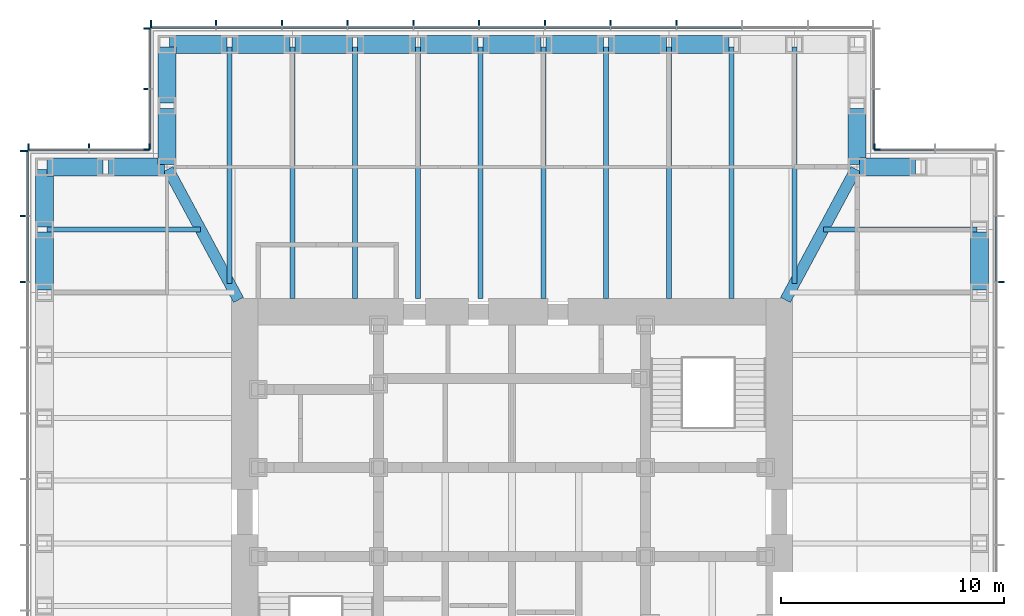
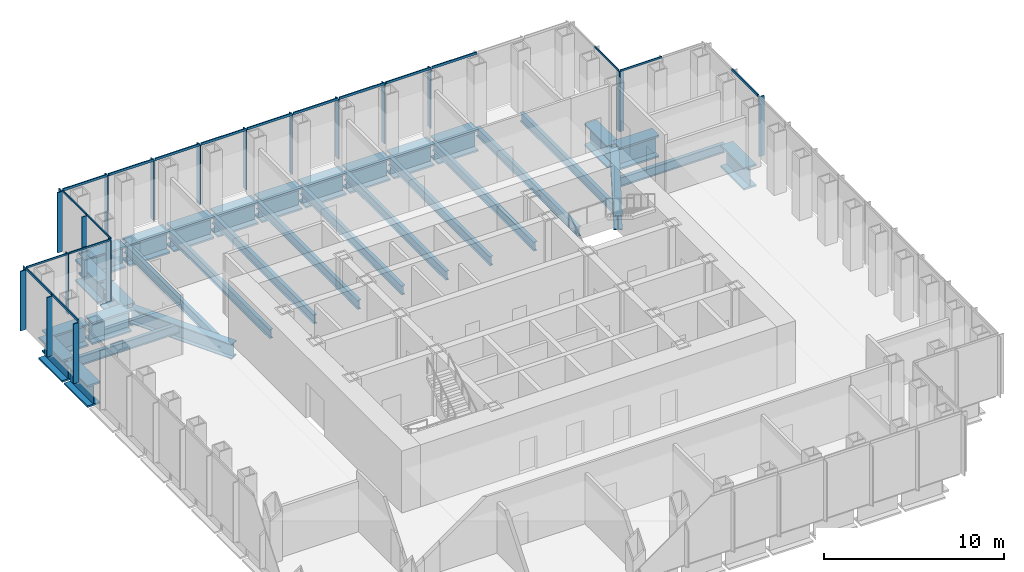
# One storey, part 5 of 16: 39 members, 32 beams, 7 elements without a shape of their own.
"""IFC4 building model written with IfcOpenShell, lengths in metres."""

from ifc_helpers import new_model, si_unit, direction, frame, origin, origin_2d, place, context, subcontext, project, spatial, rectangle, i_section, extrude, material, material_profile, profile_set, type_object, element, aggregate, save


model = new_model("IFC4")

# Units and contexts
model_context = context("Model", 3, precision=1e-05, world=origin(), true_north=direction((0.0, 1.0)))
body_context = subcontext(model_context, "Body", "Model", "MODEL_VIEW")
ifc_project = project(units=[si_unit("LENGTHUNIT", "METRE"), si_unit("AREAUNIT", "SQUARE_METRE"), si_unit("VOLUMEUNIT", "CUBIC_METRE"), si_unit("PLANEANGLEUNIT", "RADIAN"), si_unit("MASSUNIT", "GRAM", prefix="KILO")], contexts=[model_context])

# Site, building, storey
site_placement = place(None, origin())
site = spatial("IfcSite", under=ifc_project, at=site_placement, CompositionType="ELEMENT")
building_placement = place(site_placement, origin())
building = spatial("IfcBuilding", under=site, at=building_placement, Name="Daluyong Arena Tower", CompositionType="ELEMENT")
storey_placement = place(building_placement, frame((0.0, 0.0, 227.5)))
storey = spatial("IfcBuildingStorey", under=building, at=storey_placement, Name="L51", CompositionType="ELEMENT", Elevation=227.5)

# Curtain wall, member
ifc_material_1 = material(Name="Bronze anodised aluminium and glass", Category="aluminium")
curtain_wall_type_1 = type_object("IfcCurtainWallType", Name="Curtain wall CW3", PredefinedType="USERDEFINED", material=ifc_material_1)
curtain_wall_1_placement = place(storey_placement, origin())
curtain_wall_1 = element("IfcCurtainWall", 1, at=curtain_wall_1_placement, inside=storey, type_object=curtain_wall_type_1, Name="curtain wall L51 E", ObjectType="UNITISED CURTAIN WALL", PredefinedType="USERDEFINED")
ifc_material_2 = material(Name="Bronze anodised aluminium fin", Category="aluminium")
ifc_material_profile_1 = material_profile(ifc_material_2, rectangle(XDim=0.35009765625, YDim=0.070068359375, at=origin_2d()))
ifc_profile_set_1 = profile_set([ifc_material_profile_1], Name="Bronze anodised aluminium fin")
member_type_1 = type_object("IfcMemberType", Name="CW3 bronze fin 350x70", PredefinedType="MULLION", material=ifc_profile_set_1)
member_1_placement = place(storey_placement, frame((77.925048828125, 90.3408203125, 0.0), z_axis=(0.0, 0.0, 1.0), x_axis=(-1.0, 0.0, 0.0)))
member_1 = element("IfcMember", 2, at=member_1_placement, type_object=member_type_1, Name="curtain wall L51 E fin 10", PredefinedType="MULLION", context=body_context, shape_type="SweptSolid", body=[
    extrude(rectangle(XDim=0.35009765625, YDim=0.070068359375, at=origin_2d()), origin(), (0.0, 0.0, 1.0), 4.0400390625),
])

# Curtain wall, members
curtain_wall_2_placement = place(storey_placement, origin())
curtain_wall_2 = element("IfcCurtainWall", 3, at=curtain_wall_2_placement, inside=storey, type_object=curtain_wall_type_1, Name="curtain wall L51 N", ObjectType="UNITISED CURTAIN WALL", PredefinedType="USERDEFINED")
member_2_placement = place(storey_placement, frame((63.386474609375, 101.925048828125, 0.0), z_axis=(0.0, 0.0, 1.0), x_axis=(0.0, -1.0, 0.0)))
member_2 = element("IfcMember", 4, at=member_2_placement, type_object=member_type_1, Name="curtain wall L51 N fin 4", PredefinedType="MULLION", context=body_context, shape_type="SweptSolid", body=[
    extrude(rectangle(XDim=0.35009765625, YDim=0.070068359375, at=origin_2d()), origin(), (0.0, 0.0, 1.0), 4.0400390625),
])
member_3_placement = place(storey_placement, frame((60.431884765625, 101.925048828125, 0.0), z_axis=(0.0, 0.0, 1.0), x_axis=(0.0, -1.0, 0.0)))
member_3 = element("IfcMember", 5, at=member_3_placement, type_object=member_type_1, Name="curtain wall L51 N fin 5", PredefinedType="MULLION", context=body_context, shape_type="SweptSolid", body=[
    extrude(rectangle(XDim=0.35009765625, YDim=0.070068359375, at=origin_2d()), origin(), (0.0, 0.0, 1.0), 4.0400390625),
])
member_4_placement = place(storey_placement, frame((57.477294921875, 101.925048828125, 0.0), z_axis=(0.0, 0.0, 1.0), x_axis=(0.0, -1.0, 0.0)))
member_4 = element("IfcMember", 6, at=member_4_placement, type_object=member_type_1, Name="curtain wall L51 N fin 6", PredefinedType="MULLION", context=body_context, shape_type="SweptSolid", body=[
    extrude(rectangle(XDim=0.35009765625, YDim=0.070068359375, at=origin_2d()), origin(), (0.0, 0.0, 1.0), 4.0400390625),
])
member_5_placement = place(storey_placement, frame((54.522705078125, 101.925048828125, 0.0), z_axis=(0.0, 0.0, 1.0), x_axis=(0.0, -1.0, 0.0)))
member_5 = element("IfcMember", 7, at=member_5_placement, type_object=member_type_1, Name="curtain wall L51 N fin 7", PredefinedType="MULLION", context=body_context, shape_type="SweptSolid", body=[
    extrude(rectangle(XDim=0.35009765625, YDim=0.070068359375, at=origin_2d()), origin(), (0.0, 0.0, 1.0), 4.0400390625),
])
member_6_placement = place(storey_placement, frame((51.568115234375, 101.925048828125, 0.0), z_axis=(0.0, 0.0, 1.0), x_axis=(0.0, -1.0, 0.0)))
member_6 = element("IfcMember", 8, at=member_6_placement, type_object=member_type_1, Name="curtain wall L51 N fin 8", PredefinedType="MULLION", context=body_context, shape_type="SweptSolid", body=[
    extrude(rectangle(XDim=0.35009765625, YDim=0.070068359375, at=origin_2d()), origin(), (0.0, 0.0, 1.0), 4.0400390625),
])
member_7_placement = place(storey_placement, frame((48.613525390625, 101.925048828125, 0.0), z_axis=(0.0, 0.0, 1.0), x_axis=(0.0, -1.0, 0.0)))
member_7 = element("IfcMember", 9, at=member_7_placement, type_object=member_type_1, Name="curtain wall L51 N fin 9", PredefinedType="MULLION", context=body_context, shape_type="SweptSolid", body=[
    extrude(rectangle(XDim=0.35009765625, YDim=0.070068359375, at=origin_2d()), origin(), (0.0, 0.0, 1.0), 4.0400390625),
])
member_8_placement = place(storey_placement, frame((45.6591796875, 101.925048828125, 0.0), z_axis=(0.0, 0.0, 1.0), x_axis=(0.0, -1.0, 0.0)))
member_8 = element("IfcMember", 10, at=member_8_placement, type_object=member_type_1, Name="curtain wall L51 N fin 10", PredefinedType="MULLION", context=body_context, shape_type="SweptSolid", body=[
    extrude(rectangle(XDim=0.35009765625, YDim=0.070068359375, at=origin_2d()), origin(), (0.0, 0.0, 1.0), 4.0400390625),
])
member_9_placement = place(storey_placement, frame((42.70458984375, 101.925048828125, 0.0), z_axis=(0.0, 0.0, 1.0), x_axis=(0.0, -1.0, 0.0)))
member_9 = element("IfcMember", 11, at=member_9_placement, type_object=member_type_1, Name="curtain wall L51 N fin 11", PredefinedType="MULLION", context=body_context, shape_type="SweptSolid", body=[
    extrude(rectangle(XDim=0.35009765625, YDim=0.070068359375, at=origin_2d()), origin(), (0.0, 0.0, 1.0), 4.0400390625),
])
member_10_placement = place(storey_placement, frame((39.784912109375, 101.925048828125, 0.0), z_axis=(0.0, 0.0, 1.0), x_axis=(0.0, -1.0, 0.0)))
member_10 = element("IfcMember", 12, at=member_10_placement, type_object=member_type_1, Name="curtain wall L51 N fin 12", PredefinedType="MULLION", context=body_context, shape_type="SweptSolid", body=[
    extrude(rectangle(XDim=0.35009765625, YDim=0.070068359375, at=origin_2d()), origin(), (0.0, 0.0, 1.0), 4.0400390625),
])

curtain_wall_3_placement = place(storey_placement, origin())
curtain_wall_3 = element("IfcCurtainWall", 13, at=curtain_wall_3_placement, inside=storey, type_object=curtain_wall_type_1, Name="curtain wall L51 W", ObjectType="UNITISED CURTAIN WALL", PredefinedType="USERDEFINED")
member_11_placement = place(storey_placement, frame((34.074951171875, 96.215087890625, 0.0), z_axis=(0.0, 0.0, 1.0), x_axis=(1.0, 0.0, 0.0)))
member_11 = element("IfcMember", 14, at=member_11_placement, type_object=member_type_1, Name="curtain wall L51 W fin 1", PredefinedType="MULLION", context=body_context, shape_type="SweptSolid", body=[
    extrude(rectangle(XDim=0.35009765625, YDim=0.070068359375, at=origin_2d()), origin(), (0.0, 0.0, 1.0), 4.0400390625),
])
member_12_placement = place(storey_placement, frame((34.074951171875, 93.29541015625, 0.0), z_axis=(0.0, 0.0, 1.0), x_axis=(1.0, 0.0, 0.0)))
member_12 = element("IfcMember", 15, at=member_12_placement, type_object=member_type_1, Name="curtain wall L51 W fin 2", PredefinedType="MULLION", context=body_context, shape_type="SweptSolid", body=[
    extrude(rectangle(XDim=0.35009765625, YDim=0.070068359375, at=origin_2d()), origin(), (0.0, 0.0, 1.0), 4.0400390625),
])
member_13_placement = place(storey_placement, frame((34.074951171875, 90.3408203125, 0.0), z_axis=(0.0, 0.0, 1.0), x_axis=(1.0, 0.0, 0.0)))
member_13 = element("IfcMember", 16, at=member_13_placement, type_object=member_type_1, Name="curtain wall L51 W fin 3", PredefinedType="MULLION", context=body_context, shape_type="SweptSolid", body=[
    extrude(rectangle(XDim=0.35009765625, YDim=0.070068359375, at=origin_2d()), origin(), (0.0, 0.0, 1.0), 4.0400390625),
])

# Member
ifc_material_3 = material(Name="Bronze anodised aluminium", Category="aluminium")
ifc_material_profile_2 = material_profile(ifc_material_3, rectangle(XDim=0.070068359375, YDim=0.159912109375, at=origin_2d()))
ifc_profile_set_2 = profile_set([ifc_material_profile_2], Name="Bronze anodised aluminium")
member_type_2 = type_object("IfcMemberType", Name="CW3 stack transom 160x70", PredefinedType="USERDEFINED", material=ifc_profile_set_2)
member_14_placement = place(storey_placement, frame((77.75, 90.3759765625, 4.1201171875), z_axis=(0.0, 1.0, 0.0), x_axis=(-1.0, 0.0, 0.0)))
member_14 = element("IfcMember", 17, at=member_14_placement, type_object=member_type_2, Name="curtain wall L51 E transom 10", ObjectType="TRANSOM", PredefinedType="USERDEFINED", context=body_context, shape_type="SweptSolid", body=[
    extrude(rectangle(XDim=0.070068359375, YDim=0.159912109375, at=origin_2d()), origin(), (0.0, 0.0, 1.0), 2.884521484375),
])

aggregate(curtain_wall_1, [member_1, member_14])

member_15_placement = place(storey_placement, frame((66.305908203125, 101.75, 4.1201171875), z_axis=(-1.0, 0.0, 0.0), x_axis=(0.0, -1.0, 0.0)))
member_15 = element("IfcMember", 18, at=member_15_placement, type_object=member_type_2, Name="curtain wall L51 N transom 3", ObjectType="TRANSOM", PredefinedType="USERDEFINED", context=body_context, shape_type="SweptSolid", body=[
    extrude(rectangle(XDim=0.070068359375, YDim=0.159912109375, at=origin_2d()), origin(), (0.0, 0.0, 1.0), 2.884521484375),
])

member_16_placement = place(storey_placement, frame((63.351318359375, 101.75, 4.1201171875), z_axis=(-1.0, 0.0, 0.0), x_axis=(0.0, -1.0, 0.0)))
member_16 = element("IfcMember", 19, at=member_16_placement, type_object=member_type_2, Name="curtain wall L51 N transom 4", ObjectType="TRANSOM", PredefinedType="USERDEFINED", context=body_context, shape_type="SweptSolid", body=[
    extrude(rectangle(XDim=0.070068359375, YDim=0.159912109375, at=origin_2d()), origin(), (0.0, 0.0, 1.0), 2.884521484375),
])

member_17_placement = place(storey_placement, frame((60.396728515625, 101.75, 4.1201171875), z_axis=(-1.0, 0.0, 0.0), x_axis=(0.0, -1.0, 0.0)))
member_17 = element("IfcMember", 20, at=member_17_placement, type_object=member_type_2, Name="curtain wall L51 N transom 5", ObjectType="TRANSOM", PredefinedType="USERDEFINED", context=body_context, shape_type="SweptSolid", body=[
    extrude(rectangle(XDim=0.070068359375, YDim=0.159912109375, at=origin_2d()), origin(), (0.0, 0.0, 1.0), 2.884521484375),
])

member_18_placement = place(storey_placement, frame((57.4423828125, 101.75, 4.1201171875), z_axis=(-1.0, 0.0, 0.0), x_axis=(0.0, -1.0, 0.0)))
member_18 = element("IfcMember", 21, at=member_18_placement, type_object=member_type_2, Name="curtain wall L51 N transom 6", ObjectType="TRANSOM", PredefinedType="USERDEFINED", context=body_context, shape_type="SweptSolid", body=[
    extrude(rectangle(XDim=0.070068359375, YDim=0.159912109375, at=origin_2d()), origin(), (0.0, 0.0, 1.0), 2.884765625),
])

member_19_placement = place(storey_placement, frame((54.48779296875, 101.75, 4.1201171875), z_axis=(-1.0, 0.0, 0.0), x_axis=(0.0, -1.0, 0.0)))
member_19 = element("IfcMember", 22, at=member_19_placement, type_object=member_type_2, Name="curtain wall L51 N transom 7", ObjectType="TRANSOM", PredefinedType="USERDEFINED", context=body_context, shape_type="SweptSolid", body=[
    extrude(rectangle(XDim=0.070068359375, YDim=0.159912109375, at=origin_2d()), origin(), (0.0, 0.0, 1.0), 2.884521484375),
])

member_20_placement = place(storey_placement, frame((51.533203125, 101.75, 4.1201171875), z_axis=(-1.0, 0.0, 0.0), x_axis=(0.0, -1.0, 0.0)))
member_20 = element("IfcMember", 23, at=member_20_placement, type_object=member_type_2, Name="curtain wall L51 N transom 8", ObjectType="TRANSOM", PredefinedType="USERDEFINED", context=body_context, shape_type="SweptSolid", body=[
    extrude(rectangle(XDim=0.070068359375, YDim=0.159912109375, at=origin_2d()), origin(), (0.0, 0.0, 1.0), 2.884521484375),
])

member_21_placement = place(storey_placement, frame((48.57861328125, 101.75, 4.1201171875), z_axis=(-1.0, 0.0, 0.0), x_axis=(0.0, -1.0, 0.0)))
member_21 = element("IfcMember", 24, at=member_21_placement, type_object=member_type_2, Name="curtain wall L51 N transom 9", ObjectType="TRANSOM", PredefinedType="USERDEFINED", context=body_context, shape_type="SweptSolid", body=[
    extrude(rectangle(XDim=0.070068359375, YDim=0.159912109375, at=origin_2d()), origin(), (0.0, 0.0, 1.0), 2.884521484375),
])

member_22_placement = place(storey_placement, frame((45.6240234375, 101.75, 4.1201171875), z_axis=(-1.0, 0.0, 0.0), x_axis=(0.0, -1.0, 0.0)))
member_22 = element("IfcMember", 25, at=member_22_placement, type_object=member_type_2, Name="curtain wall L51 N transom 10", ObjectType="TRANSOM", PredefinedType="USERDEFINED", context=body_context, shape_type="SweptSolid", body=[
    extrude(rectangle(XDim=0.070068359375, YDim=0.159912109375, at=origin_2d()), origin(), (0.0, 0.0, 1.0), 2.884521484375),
])

member_23_placement = place(storey_placement, frame((42.66943359375, 101.75, 4.1201171875), z_axis=(-1.0, 0.0, 0.0), x_axis=(0.0, -1.0, 0.0)))
member_23 = element("IfcMember", 26, at=member_23_placement, type_object=member_type_2, Name="curtain wall L51 N transom 11", ObjectType="TRANSOM", PredefinedType="USERDEFINED", context=body_context, shape_type="SweptSolid", body=[
    extrude(rectangle(XDim=0.070068359375, YDim=0.159912109375, at=origin_2d()), origin(), (0.0, 0.0, 1.0), 2.849365234375),
])

aggregate(curtain_wall_2, [member_2, member_3, member_4, member_5, member_6, member_7, member_8, member_9, member_10, member_15, member_16, member_17, member_18, member_19, member_20, member_21, member_22, member_23])

member_24_placement = place(storey_placement, frame((34.25, 96.179931640625, 4.1201171875), z_axis=(0.0, -1.0, 0.0), x_axis=(1.0, 0.0, 0.0)))
member_24 = element("IfcMember", 27, at=member_24_placement, type_object=member_type_2, Name="curtain wall L51 W transom 1", ObjectType="TRANSOM", PredefinedType="USERDEFINED", context=body_context, shape_type="SweptSolid", body=[
    extrude(rectangle(XDim=0.070068359375, YDim=0.159912109375, at=origin_2d()), origin(), (0.0, 0.0, 1.0), 2.849365234375),
])

member_25_placement = place(storey_placement, frame((34.25, 93.260498046875, 4.1201171875), z_axis=(0.0, -1.0, 0.0), x_axis=(1.0, 0.0, 0.0)))
member_25 = element("IfcMember", 28, at=member_25_placement, type_object=member_type_2, Name="curtain wall L51 W transom 2", ObjectType="TRANSOM", PredefinedType="USERDEFINED", context=body_context, shape_type="SweptSolid", body=[
    extrude(rectangle(XDim=0.070068359375, YDim=0.159912109375, at=origin_2d()), origin(), (0.0, 0.0, 1.0), 2.884521484375),
])

aggregate(curtain_wall_3, [member_11, member_12, member_13, member_24, member_25])

# Curtain wall, member
ifc_material_4 = material(Name="Bronze anodised aluminium and glass", Category="aluminium")
curtain_wall_type_2 = type_object("IfcCurtainWallType", Name="Curtain wall CW7", PredefinedType="USERDEFINED", material=ifc_material_4)
curtain_wall_4_placement = place(storey_placement, origin())
curtain_wall_4 = element("IfcCurtainWall", 29, at=curtain_wall_4_placement, inside=storey, type_object=curtain_wall_type_2, Name="curtain wall L51 NE-N", ObjectType="UNITISED CURTAIN WALL", PredefinedType="USERDEFINED")
ifc_material_5 = material(Name="Bronze anodised aluminium fin", Category="aluminium")
ifc_material_profile_3 = material_profile(ifc_material_5, rectangle(XDim=0.300048828125, YDim=0.06005859375, at=origin_2d()))
ifc_profile_set_3 = profile_set([ifc_material_profile_3], Name="Bronze anodised aluminium fin")
member_type_3 = type_object("IfcMemberType", Name="CW7 bronze fin 300x60", PredefinedType="MULLION", material=ifc_profile_set_3)
member_26_placement = place(storey_placement, frame((72.280029296875, 96.39990234375, 0.0), z_axis=(0.0, 0.0, 1.0), x_axis=(0.0, -1.0, 0.0)))
member_26 = element("IfcMember", 30, at=member_26_placement, type_object=member_type_3, Name="curtain wall L51 NE-N fin 3", PredefinedType="MULLION", context=body_context, shape_type="SweptSolid", body=[
    extrude(rectangle(XDim=0.300048828125, YDim=0.06005859375, at=origin_2d()), origin(), (0.0, 0.0, 1.0), 4.080078125),
])

curtain_wall_5_placement = place(storey_placement, origin())
curtain_wall_5 = element("IfcCurtainWall", 31, at=curtain_wall_5_placement, inside=storey, type_object=curtain_wall_type_2, Name="curtain wall L51 NE-E", ObjectType="UNITISED CURTAIN WALL", PredefinedType="USERDEFINED")
member_27_placement = place(storey_placement, frame((72.39990234375, 96.280029296875, 0.0), z_axis=(0.0, 0.0, 1.0), x_axis=(-1.0, 0.0, 0.0)))
member_27 = element("IfcMember", 32, at=member_27_placement, type_object=member_type_3, Name="curtain wall L51 NE-E fin 1", PredefinedType="MULLION", context=body_context, shape_type="SweptSolid", body=[
    extrude(rectangle(XDim=0.300048828125, YDim=0.06005859375, at=origin_2d()), origin(), (0.0, 0.0, 1.0), 4.080078125),
])

# Curtain wall, members
curtain_wall_6_placement = place(storey_placement, origin())
curtain_wall_6 = element("IfcCurtainWall", 33, at=curtain_wall_6_placement, inside=storey, type_object=curtain_wall_type_2, Name="curtain wall L51 NW-W", ObjectType="UNITISED CURTAIN WALL", PredefinedType="USERDEFINED")
member_28_placement = place(storey_placement, frame((39.60009765625, 101.719970703125, 0.0), z_axis=(0.0, 0.0, 1.0), x_axis=(1.0, 0.0, 0.0)))
member_28 = element("IfcMember", 34, at=member_28_placement, type_object=member_type_3, Name="curtain wall L51 NW-W fin 1", PredefinedType="MULLION", context=body_context, shape_type="SweptSolid", body=[
    extrude(rectangle(XDim=0.300048828125, YDim=0.06005859375, at=origin_2d()), origin(), (0.0, 0.0, 1.0), 4.080078125),
])
member_29_placement = place(storey_placement, frame((39.60009765625, 99.0, 0.0), z_axis=(0.0, 0.0, 1.0), x_axis=(1.0, 0.0, 0.0)))
member_29 = element("IfcMember", 35, at=member_29_placement, type_object=member_type_3, Name="curtain wall L51 NW-W fin 2", PredefinedType="MULLION", context=body_context, shape_type="SweptSolid", body=[
    extrude(rectangle(XDim=0.300048828125, YDim=0.06005859375, at=origin_2d()), origin(), (0.0, 0.0, 1.0), 4.080078125),
])
member_30_placement = place(storey_placement, frame((39.60009765625, 96.280029296875, 0.0), z_axis=(0.0, 0.0, 1.0), x_axis=(1.0, 0.0, 0.0)))
member_30 = element("IfcMember", 36, at=member_30_placement, type_object=member_type_3, Name="curtain wall L51 NW-W fin 3", PredefinedType="MULLION", context=body_context, shape_type="SweptSolid", body=[
    extrude(rectangle(XDim=0.300048828125, YDim=0.06005859375, at=origin_2d()), origin(), (0.0, 0.0, 1.0), 4.080078125),
])

curtain_wall_7_placement = place(storey_placement, origin())
curtain_wall_7 = element("IfcCurtainWall", 37, at=curtain_wall_7_placement, inside=storey, type_object=curtain_wall_type_2, Name="curtain wall L51 NW-N", ObjectType="UNITISED CURTAIN WALL", PredefinedType="USERDEFINED")
member_31_placement = place(storey_placement, frame((39.719970703125, 96.39990234375, 0.0), z_axis=(0.0, 0.0, 1.0), x_axis=(0.0, -1.0, 0.0)))
member_31 = element("IfcMember", 38, at=member_31_placement, type_object=member_type_3, Name="curtain wall L51 NW-N fin 1", PredefinedType="MULLION", context=body_context, shape_type="SweptSolid", body=[
    extrude(rectangle(XDim=0.300048828125, YDim=0.06005859375, at=origin_2d()), origin(), (0.0, 0.0, 1.0), 4.080078125),
])
member_32_placement = place(storey_placement, frame((37.0, 96.39990234375, 0.0), z_axis=(0.0, 0.0, 1.0), x_axis=(0.0, -1.0, 0.0)))
member_32 = element("IfcMember", 39, at=member_32_placement, type_object=member_type_3, Name="curtain wall L51 NW-N fin 2", PredefinedType="MULLION", context=body_context, shape_type="SweptSolid", body=[
    extrude(rectangle(XDim=0.300048828125, YDim=0.06005859375, at=origin_2d()), origin(), (0.0, 0.0, 1.0), 4.080078125),
])
member_33_placement = place(storey_placement, frame((34.280029296875, 96.39990234375, 0.0), z_axis=(0.0, 0.0, 1.0), x_axis=(0.0, -1.0, 0.0)))
member_33 = element("IfcMember", 40, at=member_33_placement, type_object=member_type_3, Name="curtain wall L51 NW-N fin 3", PredefinedType="MULLION", context=body_context, shape_type="SweptSolid", body=[
    extrude(rectangle(XDim=0.300048828125, YDim=0.06005859375, at=origin_2d()), origin(), (0.0, 0.0, 1.0), 4.080078125),
])

# Member
ifc_material_6 = material(Name="Bronze anodised aluminium", Category="aluminium")
ifc_material_profile_4 = material_profile(ifc_material_6, rectangle(XDim=0.06005859375, YDim=0.1201171875, at=origin_2d()))
ifc_profile_set_4 = profile_set([ifc_material_profile_4], Name="Bronze anodised aluminium")
member_type_4 = type_object("IfcMemberType", Name="CW7 stack transom 120x60", PredefinedType="USERDEFINED", material=ifc_profile_set_4)
member_34_placement = place(storey_placement, frame((74.969970703125, 96.25, 4.139892578125), z_axis=(-1.0, 0.0, 0.0), x_axis=(0.0, -1.0, 0.0)))
member_34 = element("IfcMember", 41, at=member_34_placement, type_object=member_type_4, Name="curtain wall L51 NE-N transom 2", ObjectType="TRANSOM", PredefinedType="USERDEFINED", context=body_context, shape_type="SweptSolid", body=[
    extrude(rectangle(XDim=0.06005859375, YDim=0.1201171875, at=origin_2d()), origin(), (0.0, 0.0, 1.0), 2.659912109375),
])

aggregate(curtain_wall_4, [member_26, member_34])

member_35_placement = place(storey_placement, frame((72.25, 96.31005859375, 4.139892578125), z_axis=(0.0, 1.0, 0.0), x_axis=(-1.0, 0.0, 0.0)))
member_35 = element("IfcMember", 42, at=member_35_placement, type_object=member_type_4, Name="curtain wall L51 NE-E transom 1", ObjectType="TRANSOM", PredefinedType="USERDEFINED", context=body_context, shape_type="SweptSolid", body=[
    extrude(rectangle(XDim=0.06005859375, YDim=0.1201171875, at=origin_2d()), origin(), (0.0, 0.0, 1.0), 2.659912109375),
])

aggregate(curtain_wall_5, [member_27, member_35])

member_36_placement = place(storey_placement, frame((39.75, 101.68994140625, 4.139892578125), z_axis=(0.0, -1.0, 0.0), x_axis=(1.0, 0.0, 0.0)))
member_36 = element("IfcMember", 43, at=member_36_placement, type_object=member_type_4, Name="curtain wall L51 NW-W transom 1", ObjectType="TRANSOM", PredefinedType="USERDEFINED", context=body_context, shape_type="SweptSolid", body=[
    extrude(rectangle(XDim=0.06005859375, YDim=0.1201171875, at=origin_2d()), origin(), (0.0, 0.0, 1.0), 2.659912109375),
])

member_37_placement = place(storey_placement, frame((39.75, 98.969970703125, 4.139892578125), z_axis=(0.0, -1.0, 0.0), x_axis=(1.0, 0.0, 0.0)))
member_37 = element("IfcMember", 44, at=member_37_placement, type_object=member_type_4, Name="curtain wall L51 NW-W transom 2", ObjectType="TRANSOM", PredefinedType="USERDEFINED", context=body_context, shape_type="SweptSolid", body=[
    extrude(rectangle(XDim=0.06005859375, YDim=0.1201171875, at=origin_2d()), origin(), (0.0, 0.0, 1.0), 2.659912109375),
])

aggregate(curtain_wall_6, [member_28, member_29, member_30, member_36, member_37])

member_38_placement = place(storey_placement, frame((39.68994140625, 96.25, 4.139892578125), z_axis=(-1.0, 0.0, 0.0), x_axis=(0.0, -1.0, 0.0)))
member_38 = element("IfcMember", 45, at=member_38_placement, type_object=member_type_4, Name="curtain wall L51 NW-N transom 1", ObjectType="TRANSOM", PredefinedType="USERDEFINED", context=body_context, shape_type="SweptSolid", body=[
    extrude(rectangle(XDim=0.06005859375, YDim=0.1201171875, at=origin_2d()), origin(), (0.0, 0.0, 1.0), 2.659912109375),
])

member_39_placement = place(storey_placement, frame((36.969970703125, 96.25, 4.139892578125), z_axis=(-1.0, 0.0, 0.0), x_axis=(0.0, -1.0, 0.0)))
member_39 = element("IfcMember", 46, at=member_39_placement, type_object=member_type_4, Name="curtain wall L51 NW-N transom 2", ObjectType="TRANSOM", PredefinedType="USERDEFINED", context=body_context, shape_type="SweptSolid", body=[
    extrude(rectangle(XDim=0.06005859375, YDim=0.1201171875, at=origin_2d()), origin(), (0.0, 0.0, 1.0), 2.659912109375),
])

aggregate(curtain_wall_7, [member_31, member_32, member_33, member_38, member_39])

# Beams
ifc_material_7 = material(Name="Steel ASTM A572 Grade 50", Category="steel")
ifc_material_profile_5 = material_profile(ifc_material_7, i_section(OverallWidth=0.5, OverallDepth=1.0, WebThickness=0.03, FlangeThickness=0.06, at=origin_2d()))
ifc_profile_set_5 = profile_set([ifc_material_profile_5], Name="Steel ASTM A572 Grade 50")
beam_type_1 = type_object("IfcBeamType", Name="Corner girder TB1000X500", PredefinedType="BEAM", material=ifc_profile_set_5)
for number, where, z_axis, x_axis, name in (
    (47, (71.445556640625, 95.398681640625, -0.659912109375), (-0.474119475266, -0.880460517669, 0.0), (0.880460517669, -0.474119475266, 0.0), "corner girder DG2"),
    (48, (40.554443359375, 95.398681640625, -0.659912109375), (0.474119475266, -0.880460517669, 0.0), (0.880460517669, 0.474119475266, 0.0), "corner girder DG2"),
):
    element("IfcBeam", number, at=place(storey_placement, frame(where, z_axis=z_axis, x_axis=x_axis)), inside=storey, type_object=beam_type_1, Name=name, PredefinedType="BEAM", context=body_context, shape_type="SweptSolid", body=[
        extrude(i_section(OverallWidth=0.5, OverallDepth=1.0, WebThickness=0.03, FlangeThickness=0.06, at=origin_2d()), origin(), (0.0, 0.0, 1.0), 6.66748046875),
    ])
ifc_material_8 = material(Name="Steel ASTM A992 Grade 50", Category="steel")
ifc_material_profile_6 = material_profile(ifc_material_8, i_section(OverallWidth=0.22900390625, OverallDepth=0.612060546875, WebThickness=0.011962890625, FlangeThickness=0.01953125, at=origin_2d()))
ifc_profile_set_6 = profile_set([ifc_material_profile_6], Name="Steel ASTM A992 Grade 50")
beam_type_2 = type_object("IfcBeamType", Name="Floor beam W24X84", PredefinedType="BEAM", material=ifc_profile_set_6)
beam_1_placement = place(storey_placement, frame((76.885009765625, 92.681884765625, -0.466064453125), z_axis=(-1.0, 0.0, 0.0), x_axis=(0.0, -1.0, 0.0)))
element("IfcBeam", 49, at=beam_1_placement, inside=storey, type_object=beam_type_2, Name="floor beam FB3", PredefinedType="BEAM", context=body_context, shape_type="SweptSolid", body=[
    extrude(i_section(OverallWidth=0.22900390625, OverallDepth=0.612060546875, WebThickness=0.011962890625, FlangeThickness=0.01953125, at=origin_2d()), origin(), (0.0, 0.0, 1.0), 6.902587890625),
])
beam_2_placement = place(storey_placement, frame((68.681884765625, 100.885009765625, -0.466064453125), z_axis=(0.0, -1.0, 0.0), x_axis=(1.0, 0.0, 0.0)))
element("IfcBeam", 50, at=beam_2_placement, inside=storey, type_object=beam_type_2, Name="floor beam FB3", PredefinedType="BEAM", context=body_context, shape_type="SweptSolid", body=[
    extrude(i_section(OverallWidth=0.22900390625, OverallDepth=0.612060546875, WebThickness=0.011962890625, FlangeThickness=0.01953125, at=origin_2d()), origin(), (0.0, 0.0, 1.0), 10.618896484375),
])
for number, where, z_axis, x_axis, name in (
    (51, (65.863525390625, 100.885009765625, -0.466064453125), (0.0, -1.0, 0.0), (1.0, 0.0, 0.0), "floor beam FB3"),
    (52, (63.04541015625, 100.885009765625, -0.466064453125), (0.0, -1.0, 0.0), (1.0, 0.0, 0.0), "floor beam FB3"),
    (53, (60.227294921875, 100.885009765625, -0.466064453125), (0.0, -1.0, 0.0), (1.0, 0.0, 0.0), "floor beam FB3"),
    (54, (57.4091796875, 100.885009765625, -0.466064453125), (0.0, -1.0, 0.0), (1.0, 0.0, 0.0), "floor beam FB3"),
    (55, (54.5908203125, 100.885009765625, -0.466064453125), (0.0, -1.0, 0.0), (1.0, 0.0, 0.0), "floor beam FB3"),
    (56, (51.772705078125, 100.885009765625, -0.466064453125), (0.0, -1.0, 0.0), (1.0, 0.0, 0.0), "floor beam FB3"),
    (57, (48.95458984375, 100.885009765625, -0.466064453125), (0.0, -1.0, 0.0), (1.0, 0.0, 0.0), "floor beam FB3"),
    (58, (46.136474609375, 100.885009765625, -0.466064453125), (0.0, -1.0, 0.0), (1.0, 0.0, 0.0), "floor beam FB3"),
):
    element("IfcBeam", number, at=place(storey_placement, frame(where, z_axis=z_axis, x_axis=x_axis)), inside=storey, type_object=beam_type_2, Name=name, PredefinedType="BEAM", context=body_context, shape_type="SweptSolid", body=[
        extrude(i_section(OverallWidth=0.22900390625, OverallDepth=0.612060546875, WebThickness=0.011962890625, FlangeThickness=0.01953125, at=origin_2d()), origin(), (0.0, 0.0, 1.0), 11.284912109375),
    ])
beam_3_placement = place(storey_placement, frame((43.318115234375, 100.885009765625, -0.466064453125), z_axis=(0.0, -1.0, 0.0), x_axis=(1.0, 0.0, 0.0)))
element("IfcBeam", 59, at=beam_3_placement, inside=storey, type_object=beam_type_2, Name="floor beam FB3", PredefinedType="BEAM", context=body_context, shape_type="SweptSolid", body=[
    extrude(i_section(OverallWidth=0.22900390625, OverallDepth=0.612060546875, WebThickness=0.011962890625, FlangeThickness=0.01953125, at=origin_2d()), origin(), (0.0, 0.0, 1.0), 10.618896484375),
])
beam_4_placement = place(storey_placement, frame((35.114990234375, 92.681884765625, -0.466064453125), z_axis=(1.0, 0.0, 0.0), x_axis=(0.0, 1.0, 0.0)))
element("IfcBeam", 60, at=beam_4_placement, inside=storey, type_object=beam_type_2, Name="floor beam FB3", PredefinedType="BEAM", context=body_context, shape_type="SweptSolid", body=[
    extrude(i_section(OverallWidth=0.22900390625, OverallDepth=0.612060546875, WebThickness=0.011962890625, FlangeThickness=0.01953125, at=origin_2d()), origin(), (0.0, 0.0, 1.0), 6.902587890625),
])
ifc_material_9 = material(Name="Steel ASTM A588 Grade 50", Category="steel")
ifc_material_profile_7 = material_profile(ifc_material_9, i_section(OverallWidth=0.800048828125, OverallDepth=1.5, WebThickness=0.05, FlangeThickness=0.12, at=origin_2d()))
ifc_profile_set_7 = profile_set([ifc_material_profile_7], Name="Steel ASTM A588 Grade 50")
beam_type_3 = type_object("IfcBeamType", Name="Spandrel Z3 PG1500X800", PredefinedType="SPANDREL", material=ifc_profile_set_7)
beam_5_placement = place(storey_placement, frame((77.0, 89.978515625, -0.909912109375), z_axis=(0.0, 1.0, 0.0), x_axis=(-1.0, 0.0, 0.0)))
element("IfcBeam", 61, at=beam_5_placement, inside=storey, type_object=beam_type_3, Name="spandrel z3 SB7", PredefinedType="SPANDREL", context=body_context, shape_type="SweptSolid", body=[
    extrude(i_section(OverallWidth=0.800048828125, OverallDepth=1.5, WebThickness=0.05, FlangeThickness=0.12, at=origin_2d()), origin(), (0.0, 0.0, 1.0), 2.58837890625),
])
for number, where, z_axis, x_axis, name in (
    (62, (74.135009765625, 95.5, -0.909912109375), (-1.0, 0.0, 0.0), (0.0, -1.0, 0.0), "spandrel z3 SB7"),
    (63, (71.5, 95.614990234375, -0.909912109375), (0.0, 1.0, 0.0), (-1.0, 0.0, 0.0), "spandrel z3 SB7"),
):
    element("IfcBeam", number, at=place(storey_placement, frame(where, z_axis=z_axis, x_axis=x_axis)), inside=storey, type_object=beam_type_3, Name=name, PredefinedType="SPANDREL", context=body_context, shape_type="SweptSolid", body=[
        extrude(i_section(OverallWidth=0.800048828125, OverallDepth=1.5, WebThickness=0.05, FlangeThickness=0.12, at=origin_2d()), origin(), (0.0, 0.0, 1.0), 2.52001953125),
    ])
for number, where, z_axis, x_axis, name in (
    (64, (65.74853515625, 101.0, -0.909912109375), (-1.0, 0.0, 0.0), (0.0, -1.0, 0.0), "spandrel z3 SB7"),
    (65, (62.930419921875, 101.0, -0.909912109375), (-1.0, 0.0, 0.0), (0.0, -1.0, 0.0), "spandrel z3 SB7"),
    (66, (60.1123046875, 101.0, -0.909912109375), (-1.0, 0.0, 0.0), (0.0, -1.0, 0.0), "spandrel z3 SB7"),
):
    element("IfcBeam", number, at=place(storey_placement, frame(where, z_axis=z_axis, x_axis=x_axis)), inside=storey, type_object=beam_type_3, Name=name, PredefinedType="SPANDREL", context=body_context, shape_type="SweptSolid", body=[
        extrude(i_section(OverallWidth=0.800048828125, OverallDepth=1.5, WebThickness=0.05, FlangeThickness=0.12, at=origin_2d()), origin(), (0.0, 0.0, 1.0), 2.588134765625),
    ])
beam_6_placement = place(storey_placement, frame((57.294189453125, 101.0, -0.909912109375), z_axis=(-1.0, 0.0, 0.0), x_axis=(0.0, -1.0, 0.0)))
element("IfcBeam", 67, at=beam_6_placement, inside=storey, type_object=beam_type_3, Name="spandrel z3 SB7", PredefinedType="SPANDREL", context=body_context, shape_type="SweptSolid", body=[
    extrude(i_section(OverallWidth=0.800048828125, OverallDepth=1.5, WebThickness=0.05, FlangeThickness=0.12, at=origin_2d()), origin(), (0.0, 0.0, 1.0), 2.58837890625),
])
for number, where, z_axis, x_axis, name in (
    (68, (54.475830078125, 101.0, -0.909912109375), (-1.0, 0.0, 0.0), (0.0, -1.0, 0.0), "spandrel z3 SB7"),
    (69, (51.65771484375, 101.0, -0.909912109375), (-1.0, 0.0, 0.0), (0.0, -1.0, 0.0), "spandrel z3 SB7"),
    (70, (48.839599609375, 101.0, -0.909912109375), (-1.0, 0.0, 0.0), (0.0, -1.0, 0.0), "spandrel z3 SB7"),
):
    element("IfcBeam", number, at=place(storey_placement, frame(where, z_axis=z_axis, x_axis=x_axis)), inside=storey, type_object=beam_type_3, Name=name, PredefinedType="SPANDREL", context=body_context, shape_type="SweptSolid", body=[
        extrude(i_section(OverallWidth=0.800048828125, OverallDepth=1.5, WebThickness=0.05, FlangeThickness=0.12, at=origin_2d()), origin(), (0.0, 0.0, 1.0), 2.588134765625),
    ])
beam_7_placement = place(storey_placement, frame((46.021484375, 101.0, -0.909912109375), z_axis=(-1.0, 0.0, 0.0), x_axis=(0.0, -1.0, 0.0)))
element("IfcBeam", 71, at=beam_7_placement, inside=storey, type_object=beam_type_3, Name="spandrel z3 SB7", PredefinedType="SPANDREL", context=body_context, shape_type="SweptSolid", body=[
    extrude(i_section(OverallWidth=0.800048828125, OverallDepth=1.5, WebThickness=0.05, FlangeThickness=0.12, at=origin_2d()), origin(), (0.0, 0.0, 1.0), 2.58837890625),
])
beam_8_placement = place(storey_placement, frame((43.203125, 101.0, -0.909912109375), z_axis=(-1.0, 0.0, 0.0), x_axis=(0.0, -1.0, 0.0)))
element("IfcBeam", 72, at=beam_8_placement, inside=storey, type_object=beam_type_3, Name="spandrel z3 SB7", PredefinedType="SPANDREL", context=body_context, shape_type="SweptSolid", body=[
    extrude(i_section(OverallWidth=0.800048828125, OverallDepth=1.5, WebThickness=0.05, FlangeThickness=0.12, at=origin_2d()), origin(), (0.0, 0.0, 1.0), 2.588134765625),
])
for number, where, z_axis, x_axis, name in (
    (73, (40.5, 100.885009765625, -0.909912109375), (0.0, -1.0, 0.0), (1.0, 0.0, 0.0), "spandrel z3 SB7"),
    (74, (40.5, 98.135009765625, -0.909912109375), (0.0, -1.0, 0.0), (1.0, 0.0, 0.0), "spandrel z3 SB7"),
    (75, (40.385009765625, 95.5, -0.909912109375), (-1.0, 0.0, 0.0), (0.0, -1.0, 0.0), "spandrel z3 SB7"),
    (76, (37.635009765625, 95.5, -0.909912109375), (-1.0, 0.0, 0.0), (0.0, -1.0, 0.0), "spandrel z3 SB7"),
):
    element("IfcBeam", number, at=place(storey_placement, frame(where, z_axis=z_axis, x_axis=x_axis)), inside=storey, type_object=beam_type_3, Name=name, PredefinedType="SPANDREL", context=body_context, shape_type="SweptSolid", body=[
        extrude(i_section(OverallWidth=0.800048828125, OverallDepth=1.5, WebThickness=0.05, FlangeThickness=0.12, at=origin_2d()), origin(), (0.0, 0.0, 1.0), 2.52001953125),
    ])
beam_9_placement = place(storey_placement, frame((35.0, 95.385009765625, -0.909912109375), z_axis=(0.0, -1.0, 0.0), x_axis=(1.0, 0.0, 0.0)))
element("IfcBeam", 77, at=beam_9_placement, inside=storey, type_object=beam_type_3, Name="spandrel z3 SB7", PredefinedType="SPANDREL", context=body_context, shape_type="SweptSolid", body=[
    extrude(i_section(OverallWidth=0.800048828125, OverallDepth=1.5, WebThickness=0.05, FlangeThickness=0.12, at=origin_2d()), origin(), (0.0, 0.0, 1.0), 2.588134765625),
])
beam_10_placement = place(storey_placement, frame((35.0, 92.56689453125, -0.909912109375), z_axis=(0.0, -1.0, 0.0), x_axis=(1.0, 0.0, 0.0)))
element("IfcBeam", 78, at=beam_10_placement, inside=storey, type_object=beam_type_3, Name="spandrel z3 SB7", PredefinedType="SPANDREL", context=body_context, shape_type="SweptSolid", body=[
    extrude(i_section(OverallWidth=0.800048828125, OverallDepth=1.5, WebThickness=0.05, FlangeThickness=0.12, at=origin_2d()), origin(), (0.0, 0.0, 1.0), 2.58837890625),
])

save(model, "model.ifc")
